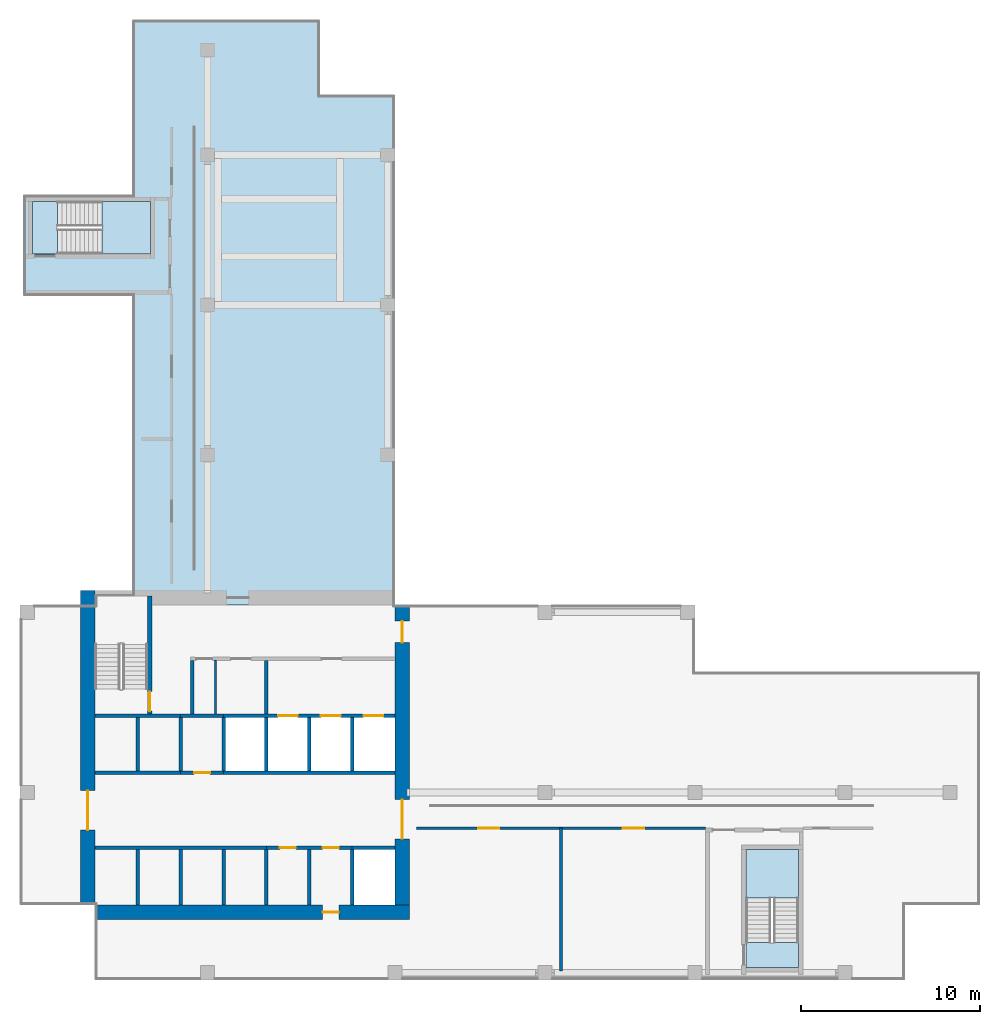
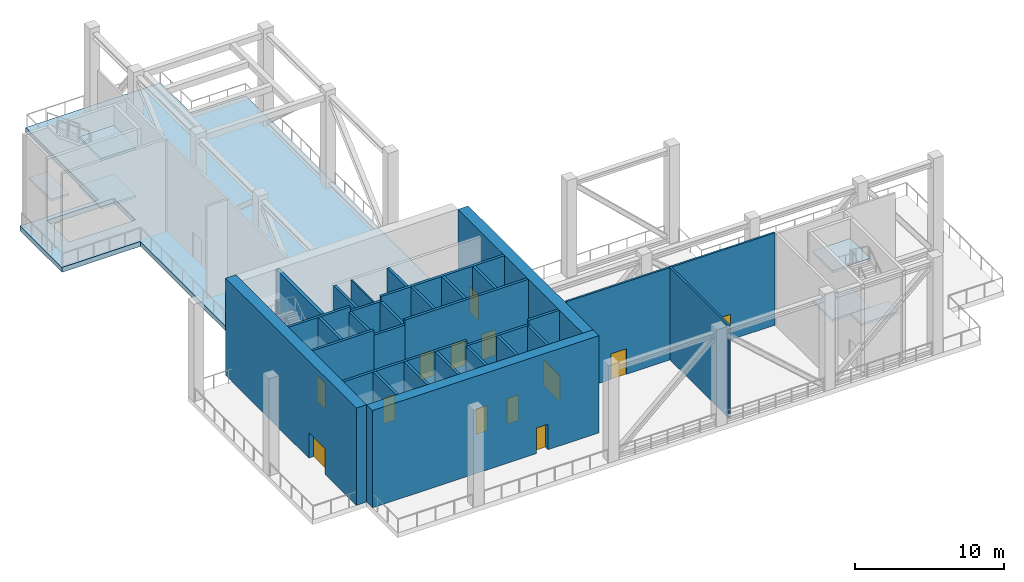
# One storey, part 2 of 9: 30 walls, 13 doors, 7 slabs, 13 openings, 2 elements without a shape of their own.
"""IFC4 building model written with IfcOpenShell, lengths in metres."""

from ifc_helpers import new_model, si_unit, direction, frame, frame_2d, origin, place, context, subcontext, project, spatial, polyline, rectangle, outline, extrude, source, transform, mapped, material, layer, layer_set, type_object, element, fill, aggregate, save


model = new_model("IFC4")

# Units and contexts
model_context = context("Model", 3, precision=1e-05, world=origin(), true_north=direction((0.0, 1.0)))
body_context = subcontext(model_context, "Body", "Model", "MODEL_VIEW")
ifc_project = project(units=[si_unit("LENGTHUNIT", "METRE"), si_unit("AREAUNIT", "SQUARE_METRE"), si_unit("VOLUMEUNIT", "CUBIC_METRE"), si_unit("PLANEANGLEUNIT", "RADIAN"), si_unit("MASSUNIT", "GRAM", prefix="KILO")], contexts=[model_context])

# Site, building, storey
site_placement = place(None, origin())
site = spatial("IfcSite", under=ifc_project, at=site_placement, CompositionType="ELEMENT")
building_placement = place(site_placement, origin())
building = spatial("IfcBuilding", under=site, at=building_placement, Name="Aurelian Terraces", CompositionType="ELEMENT")
storey_placement = place(building_placement, frame((0.0, 0.0, 269.0)))
storey = spatial("IfcBuildingStorey", under=building, at=storey_placement, Name="L62", CompositionType="ELEMENT", Elevation=269.0)

# Slab
ifc_material_1 = material(Name="Concrete fc' 40 MPa", Category="concrete")
ifc_layer_1 = layer(ifc_material_1, 0.4)
ifc_layer_set_1 = layer_set([ifc_layer_1], Name="PT FLAT PLATE 400")
slab_type_1 = type_object("IfcSlabType", Name="PT FLAT PLATE 400", PredefinedType="FLOOR", material=ifc_layer_set_1)
shared_shape_1 = source(origin(), body_context, "Body", "SweptSolid", [
    extrude(outline(polyline([(0.2, 43.95), (6.3, 43.95), (6.3, 49.56), (6.3, 53.76), (10.5, 53.76), (16.8, 53.76), (16.8, 49.56), (21.0, 49.56), (21.0, 21.0), (7.14, 21.0), (7.14, 21.49), (4.21, 21.49), (4.21, 21.0), (4.2, 21.0), (4.2, 21.6), (6.3, 21.6), (6.3, 38.3), (0.2, 38.3), (0.2, 43.95)]), holes=[polyline([(7.29, 43.59), (2.11, 43.59), (2.11, 40.66), (7.29, 40.66), (7.29, 43.59)])]), origin(), (0.0, 0.0, 1.0), 0.4),
])
slab_1_placement = place(storey_placement, frame((0.0, 0.0, -0.4)))
element("IfcSlab", 1, at=slab_1_placement, inside=storey, type_object=slab_type_1, Name="Floor slab W L62", PredefinedType="FLOOR", context=body_context, shape_type="MappedRepresentation", body=[
    mapped(shared_shape_1, transform((0.0, 0.0, 0.0), scale=1.0)),
])

# Stair, slabs
stair_type = type_object("IfcStairType", Name="Stair 1400", PredefinedType="HALF_TURN_STAIR", material=ifc_material_1)
stair_1_placement = place(storey_placement, origin())
stair_1 = element("IfcStair", 2, at=stair_1_placement, inside=storey, type_object=stair_type, Name="L62 S2", PredefinedType="HALF_TURN_STAIR")
ifc_layer_2 = layer(ifc_material_1, 0.2)
ifc_layer_set_2 = layer_set([ifc_layer_2], Name="Stair landing 200")
slab_type_2 = type_object("IfcSlabType", Name="Stair landing 200", PredefinedType="LANDING", material=ifc_layer_set_2)
shared_shape_2 = source(origin(), body_context, "Body", "SweptSolid", [
    extrude(outline(polyline([(43.6, 0.7), (43.6, 2.1), (40.65, 2.1), (40.65, 0.7), (43.6, 0.7)])), origin(), (0.0, 0.0, 1.0), 0.2),
])
slab_2_placement = place(storey_placement, frame((0.0, 0.0, 3.8)))
slab_2 = element("IfcSlab", 3, at=slab_2_placement, type_object=slab_type_2, Name="S2 landing 2", PredefinedType="LANDING", context=body_context, shape_type="MappedRepresentation", body=[
    mapped(shared_shape_2, transform((0.0, 0.0, 0.0), scale=1.0)),
])
shared_shape_3 = source(origin(), body_context, "Body", "SweptSolid", [
    extrude(outline(polyline([(43.6, 4.6), (43.6, 7.3), (40.65, 7.3), (40.65, 4.6), (43.6, 4.6)])), origin(), (0.0, 0.0, 1.0), 0.2),
])
slab_3_placement = place(storey_placement, frame((0.0, 0.0, 1.8)))
slab_3 = element("IfcSlab", 4, at=slab_3_placement, type_object=slab_type_2, Name="S2 landing 1", PredefinedType="LANDING", context=body_context, shape_type="MappedRepresentation", body=[
    mapped(shared_shape_3, transform((0.0, 0.0, 0.0), scale=1.0)),
])
slab_4_placement = place(storey_placement, frame((0.0, 0.0, 5.8)))
slab_4 = element("IfcSlab", 5, at=slab_4_placement, type_object=slab_type_2, Name="S2 landing 3", PredefinedType="LANDING", context=body_context, shape_type="MappedRepresentation", body=[
    mapped(shared_shape_3, transform((0.0, 0.0, 0.0), scale=1.0)),
])
aggregate(stair_1, [slab_3, slab_2, slab_4])

stair_2_placement = place(storey_placement, origin())
stair_2 = element("IfcStair", 6, at=stair_2_placement, inside=storey, type_object=stair_type, Name="L62 S3", PredefinedType="HALF_TURN_STAIR")
shared_shape_4 = source(origin(), body_context, "Body", "SweptSolid", [
    extrude(outline(polyline([(0.7, 40.65), (2.1, 40.65), (2.1, 43.6), (0.7, 43.6), (0.7, 40.65)])), origin(), (0.0, 0.0, 1.0), 0.2),
])
slab_5_placement = place(storey_placement, frame((0.0, 0.0, 3.8)))
slab_5 = element("IfcSlab", 7, at=slab_5_placement, type_object=slab_type_2, Name="S3 landing 2", PredefinedType="LANDING", context=body_context, shape_type="MappedRepresentation", body=[
    mapped(shared_shape_4, transform((0.0, 0.0, 0.0), scale=1.0)),
])
shared_shape_5 = source(origin(), body_context, "Body", "SweptSolid", [
    extrude(outline(polyline([(4.6, 40.65), (7.3, 40.65), (7.3, 43.6), (4.6, 43.6), (4.6, 40.65)])), origin(), (0.0, 0.0, 1.0), 0.2),
])
slab_6_placement = place(storey_placement, frame((0.0, 0.0, 1.8)))
slab_6 = element("IfcSlab", 8, at=slab_6_placement, type_object=slab_type_2, Name="S3 landing 1", PredefinedType="LANDING", context=body_context, shape_type="MappedRepresentation", body=[
    mapped(shared_shape_5, transform((0.0, 0.0, 0.0), scale=1.0)),
])
slab_7_placement = place(storey_placement, frame((0.0, 0.0, 5.8)))
slab_7 = element("IfcSlab", 9, at=slab_7_placement, type_object=slab_type_2, Name="S3 landing 3", PredefinedType="LANDING", context=body_context, shape_type="MappedRepresentation", body=[
    mapped(shared_shape_5, transform((0.0, 0.0, 0.0), scale=1.0)),
])
aggregate(stair_2, [slab_6, slab_5, slab_7])

# Wall, opening, door
ifc_material_2 = material(Name="Concrete fc' 70 MPa", Category="concrete")
ifc_layer_3 = layer(ifc_material_2, 0.8)
ifc_layer_set_3 = layer_set([ifc_layer_3], Name="CORE WALL 800 FC70")
wall_type_1 = type_object("IfcWallType", Name="CORE WALL 800 FC70", PredefinedType="SHEAR", material=ifc_layer_set_3)
wall_1_placement = place(storey_placement, frame((3.8, 4.2, 0.0), z_axis=(0.0, 0.0, 1.0), x_axis=(0.0, 1.0, 0.0)))
wall_1 = element("IfcWall", 10, at=wall_1_placement, inside=storey, type_object=wall_type_1, Name="Core wall W L62", PredefinedType="SHEAR", context=body_context, shape_type="SweptSolid", body=[
    extrude(rectangle(XDim=17.6, YDim=0.8, at=frame_2d((8.8, 0.0))), origin(), (0.0, 0.0, 1.0), 8.0),
])
shared_shape_6 = source(origin(), body_context, "Body", "SweptSolid", [
    extrude(rectangle(XDim=2.2, YDim=2.1, at=frame_2d((1.1, 1.05))), frame((0.0, 0.41, 0.0), z_axis=(0.0, -1.0, 0.0), x_axis=(1.0, 0.0, 0.0)), (0.0, 0.0, 1.0), 0.82),
])
opening_1_placement = place(wall_1_placement, frame((4.2, 0.0, 0.0)))
opening_1 = element("IfcOpeningElement", 11, at=opening_1_placement, cuts=wall_1, Name="Opening 66517", PredefinedType="OPENING", context=body_context, shape_type="MappedRepresentation", body=[
    mapped(shared_shape_6, transform((0.0, 0.0, 0.0), scale=1.0)),
])
ifc_material_3 = material(Name="Steel door leaf", Category="steel")
door_type_1 = type_object("IfcDoorType", Name="Core double door 2200x2100", OperationType="DOUBLE_DOOR_SINGLE_SWING", PredefinedType="DOOR", material=ifc_material_3)
shared_shape_7 = source(origin(), body_context, "Body", "SweptSolid", [
    extrude(rectangle(XDim=2.2, YDim=2.1, at=frame_2d((1.1, 1.05))), frame((0.0, 0.025, 0.0), z_axis=(0.0, -1.0, 0.0), x_axis=(1.0, 0.0, 0.0)), (0.0, 0.0, 1.0), 0.05),
])
door_1_placement = place(opening_1_placement, origin())
door_1 = element("IfcDoor", 12, at=door_1_placement, inside=storey, type_object=door_type_1, Name="Core door 66517", OperationType="DOUBLE_DOOR_SINGLE_SWING", OverallHeight=2.1, OverallWidth=2.2, PredefinedType="DOOR", context=body_context, shape_type="MappedRepresentation", body=[
    mapped(shared_shape_7, transform((0.0, 0.0, 0.0), scale=1.0)),
])
fill(opening_1, door_1)

# Wall, openings, doors
wall_2_placement = place(storey_placement, frame((21.4, 4.2, 0.0), z_axis=(0.0, 0.0, 1.0), x_axis=(0.0, 1.0, 0.0)))
wall_2 = element("IfcWall", 13, at=wall_2_placement, inside=storey, type_object=wall_type_1, Name="Core wall E L62", PredefinedType="SHEAR", context=body_context, shape_type="SweptSolid", body=[
    extrude(rectangle(XDim=16.8, YDim=0.8, at=frame_2d((8.4, 0.0))), origin(), (0.0, 0.0, 1.0), 8.0),
])
opening_2_placement = place(wall_2_placement, frame((3.7, 0.0, 0.0)))
opening_2 = element("IfcOpeningElement", 14, at=opening_2_placement, cuts=wall_2, Name="Opening 66516", PredefinedType="OPENING", context=body_context, shape_type="MappedRepresentation", body=[
    mapped(shared_shape_6, transform((0.0, 0.0, 0.0), scale=1.0)),
])
shared_shape_8 = source(origin(), body_context, "Body", "SweptSolid", [
    extrude(rectangle(XDim=1.2, YDim=2.1, at=frame_2d((0.6, 1.05))), frame((0.0, 0.41, 0.0), z_axis=(0.0, -1.0, 0.0), x_axis=(1.0, 0.0, 0.0)), (0.0, 0.0, 1.0), 0.82),
])
opening_3_placement = place(wall_2_placement, frame((14.7, 0.0, 0.0)))
opening_3 = element("IfcOpeningElement", 15, at=opening_3_placement, cuts=wall_2, Name="Opening 66519", PredefinedType="OPENING", context=body_context, shape_type="MappedRepresentation", body=[
    mapped(shared_shape_8, transform((0.0, 0.0, 0.0), scale=1.0)),
])
door_type_2 = type_object("IfcDoorType", Name="Core fire door 1200x2100", OperationType="SINGLE_SWING_LEFT", PredefinedType="DOOR", material=ifc_material_3)
shared_shape_9 = source(origin(), body_context, "Body", "SweptSolid", [
    extrude(rectangle(XDim=1.2, YDim=2.1, at=frame_2d((0.6, 1.05))), frame((0.0, 0.025, 0.0), z_axis=(0.0, -1.0, 0.0), x_axis=(1.0, 0.0, 0.0)), (0.0, 0.0, 1.0), 0.05),
])
door_2_placement = place(opening_3_placement, origin())
door_2 = element("IfcDoor", 16, at=door_2_placement, inside=storey, type_object=door_type_2, Name="Core door 66519", OperationType="SINGLE_SWING_LEFT", OverallHeight=2.1, OverallWidth=1.2, PredefinedType="DOOR", context=body_context, shape_type="MappedRepresentation", body=[
    mapped(shared_shape_9, transform((0.0, 0.0, 0.0), scale=1.0)),
])
fill(opening_3, door_2)
door_3_placement = place(opening_2_placement, origin())
door_3 = element("IfcDoor", 17, at=door_3_placement, inside=storey, type_object=door_type_1, Name="Core door 66516", OperationType="DOUBLE_DOOR_SINGLE_SWING", OverallHeight=2.1, OverallWidth=2.2, PredefinedType="DOOR", context=body_context, shape_type="MappedRepresentation", body=[
    mapped(shared_shape_7, transform((0.0, 0.0, 0.0), scale=1.0)),
])
fill(opening_2, door_3)

# Walls
ifc_material_4 = material(Name="Gypsum board on steel studs", Category="steel")
ifc_layer_4 = layer(ifc_material_4, 0.2)
ifc_layer_set_4 = layer_set([ifc_layer_4], Name="Core partition 200")
wall_type_2 = type_object("IfcWallType", Name="Core partition 200", PredefinedType="PARTITIONING", material=ifc_layer_set_4)
wall_3_placement = place(storey_placement, frame((16.2, 4.2, 0.0), z_axis=(0.0, 0.0, 1.0), x_axis=(0.0, 1.0, 0.0)))
element("IfcWall", 18, at=wall_3_placement, inside=storey, type_object=wall_type_2, Name="L62 core wall CS-A5", PredefinedType="PARTITIONING", context=body_context, shape_type="SweptSolid", body=[
    extrude(rectangle(XDim=3.1, YDim=0.2, at=frame_2d((1.55, 0.0))), origin(), (0.0, 0.0, 1.0), 7.6),
])
ifc_layer_5 = layer(ifc_material_1, 0.2)
ifc_layer_set_5 = layer_set([ifc_layer_5], Name="Lift shaft wall 200")
wall_type_3 = type_object("IfcWallType", Name="Lift shaft wall 200", PredefinedType="SOLIDWALL", material=ifc_layer_set_5)
wall_4_placement = place(storey_placement, frame((13.8, 4.2, 0.0), z_axis=(0.0, 0.0, 1.0), x_axis=(0.0, 1.0, 0.0)))
element("IfcWall", 19, at=wall_4_placement, inside=storey, type_object=wall_type_3, Name="L62 core wall CD-A4", PredefinedType="SOLIDWALL", context=body_context, shape_type="SweptSolid", body=[
    extrude(rectangle(XDim=3.1, YDim=0.2, at=frame_2d((1.55, 0.0))), origin(), (0.0, 0.0, 1.0), 7.6),
])

# Wall, openings, doors
wall_5_placement = place(storey_placement, frame((13.8, 7.4, 0.0), z_axis=(0.0, 0.0, 1.0), x_axis=(1.0, 0.0, 0.0)))
wall_5 = element("IfcWall", 20, at=wall_5_placement, inside=storey, type_object=wall_type_3, Name="L62 core wall CF-AF2", PredefinedType="SOLIDWALL", context=body_context, shape_type="SweptSolid", body=[
    extrude(rectangle(XDim=4.8, YDim=0.2, at=frame_2d((2.4, 0.0))), origin(), (0.0, 0.0, 1.0), 7.6),
])
shared_shape_10 = source(origin(), body_context, "Body", "SweptSolid", [
    extrude(rectangle(XDim=0.9, YDim=2.1, at=frame_2d((0.45, 1.05))), frame((0.0, 0.11, 0.0), z_axis=(0.0, -1.0, 0.0), x_axis=(1.0, 0.0, 0.0)), (0.0, 0.0, 1.0), 0.22),
])
opening_4_placement = place(wall_5_placement, frame((0.75, 0.0, 0.0)))
opening_4 = element("IfcOpeningElement", 21, at=opening_4_placement, cuts=wall_5, Name="Opening 66500", PredefinedType="OPENING", context=body_context, shape_type="MappedRepresentation", body=[
    mapped(shared_shape_10, transform((0.0, 0.0, 0.0), scale=1.0)),
])
opening_5_placement = place(wall_5_placement, frame((3.15, 0.0, 0.0)))
opening_5 = element("IfcOpeningElement", 22, at=opening_5_placement, cuts=wall_5, Name="Opening 66501", PredefinedType="OPENING", context=body_context, shape_type="MappedRepresentation", body=[
    mapped(shared_shape_10, transform((0.0, 0.0, 0.0), scale=1.0)),
])
door_type_3 = type_object("IfcDoorType", Name="Core service door 900x2100 right", OperationType="SINGLE_SWING_RIGHT", PredefinedType="DOOR", material=ifc_material_3)
shared_shape_11 = source(origin(), body_context, "Body", "SweptSolid", [
    extrude(rectangle(XDim=0.9, YDim=2.1, at=frame_2d((0.45, 1.05))), frame((0.0, 0.025, 0.0), z_axis=(0.0, -1.0, 0.0), x_axis=(1.0, 0.0, 0.0)), (0.0, 0.0, 1.0), 0.05),
])
door_4_placement = place(opening_4_placement, origin())
door_4 = element("IfcDoor", 23, at=door_4_placement, inside=storey, type_object=door_type_3, Name="Room door 66500", OperationType="SINGLE_SWING_RIGHT", OverallHeight=2.1, OverallWidth=0.9, PredefinedType="DOOR", context=body_context, shape_type="MappedRepresentation", body=[
    mapped(shared_shape_11, transform((0.0, 0.0, 0.0), scale=1.0)),
])
fill(opening_4, door_4)
door_type_4 = type_object("IfcDoorType", Name="Core service door 900x2100", OperationType="SINGLE_SWING_LEFT", PredefinedType="DOOR", material=ifc_material_3)
door_5_placement = place(opening_5_placement, origin())
door_5 = element("IfcDoor", 24, at=door_5_placement, inside=storey, type_object=door_type_4, Name="Room door 66501", OperationType="SINGLE_SWING_LEFT", OverallHeight=2.1, OverallWidth=0.9, PredefinedType="DOOR", context=body_context, shape_type="MappedRepresentation", body=[
    mapped(shared_shape_11, transform((0.0, 0.0, 0.0), scale=1.0)),
])
fill(opening_5, door_5)

# Wall
wall_6_placement = place(storey_placement, frame((18.6, 7.4, 0.0), z_axis=(0.0, 0.0, 1.0), x_axis=(1.0, 0.0, 0.0)))
element("IfcWall", 25, at=wall_6_placement, inside=storey, type_object=wall_type_3, Name="L62 core wall CF-AF3", PredefinedType="SOLIDWALL", context=body_context, shape_type="SweptSolid", body=[
    extrude(rectangle(XDim=2.4, YDim=0.2, at=frame_2d((1.2, 0.0))), origin(), (0.0, 0.0, 1.0), 8.0),
])

# Wall, opening, door
shared_shape_12 = source(origin(), body_context, "Body", "SweptSolid", [
    extrude(rectangle(XDim=17.6, YDim=0.8, at=frame_2d((8.8, 0.0))), origin(), (0.0, 0.0, 1.0), 8.0),
])
wall_7_placement = place(storey_placement, frame((4.2, 3.8, 0.0), z_axis=(0.0, 0.0, 1.0), x_axis=(1.0, 0.0, 0.0)))
wall_7 = element("IfcWall", 26, at=wall_7_placement, inside=storey, type_object=wall_type_1, Name="Core wall S L62", PredefinedType="SHEAR", context=body_context, shape_type="MappedRepresentation", body=[
    mapped(shared_shape_12, transform((0.0, 0.0, 0.0), scale=1.0)),
])
shared_shape_13 = source(origin(), body_context, "Body", "SweptSolid", [
    extrude(rectangle(XDim=0.9, YDim=2.1, at=frame_2d((0.45, 1.05))), frame((0.0, 0.41, 0.0), z_axis=(0.0, -1.0, 0.0), x_axis=(1.0, 0.0, 0.0)), (0.0, 0.0, 1.0), 0.82),
])
opening_6_placement = place(wall_7_placement, frame((12.75, 0.0, 0.0)))
opening_6 = element("IfcOpeningElement", 27, at=opening_6_placement, cuts=wall_7, Name="Opening 66520", PredefinedType="OPENING", context=body_context, shape_type="MappedRepresentation", body=[
    mapped(shared_shape_13, transform((0.0, 0.0, 0.0), scale=1.0)),
])
door_6_placement = place(opening_6_placement, origin())
door_6 = element("IfcDoor", 28, at=door_6_placement, inside=storey, type_object=door_type_3, Name="Core door 66520", OperationType="SINGLE_SWING_RIGHT", OverallHeight=2.1, OverallWidth=0.9, PredefinedType="DOOR", context=body_context, shape_type="MappedRepresentation", body=[
    mapped(shared_shape_11, transform((0.0, 0.0, 0.0), scale=1.0)),
])
fill(opening_6, door_6)

# Walls
shared_shape_14 = source(origin(), body_context, "Body", "SweptSolid", [
    extrude(rectangle(XDim=3.1, YDim=0.2, at=frame_2d((1.55, 0.0))), origin(), (0.0, 0.0, 1.0), 8.0),
])
for number, where, z_axis, x_axis, name in (
    (29, (6.6, 4.2, 0.0), (0.0, 0.0, 1.0), (0.0, 1.0, 0.0), "L62 core wall CD-A1"),
    (30, (9.0, 4.2, 0.0), (0.0, 0.0, 1.0), (0.0, 1.0, 0.0), "L62 core wall CD-A2"),
    (31, (11.4, 4.2, 0.0), (0.0, 0.0, 1.0), (0.0, 1.0, 0.0), "L62 core wall CD-A3"),
):
    element("IfcWall", number, at=place(storey_placement, frame(where, z_axis=z_axis, x_axis=x_axis)), inside=storey, type_object=wall_type_3, Name=name, PredefinedType="SOLIDWALL", context=body_context, shape_type="MappedRepresentation", body=[
        mapped(shared_shape_14, transform((0.0, 0.0, 0.0), scale=1.0)),
    ])
shared_shape_15 = source(origin(), body_context, "Body", "SweptSolid", [
    extrude(rectangle(XDim=3.0, YDim=0.2, at=frame_2d((1.5, 0.0))), origin(), (0.0, 0.0, 1.0), 7.6),
])
for number, where, z_axis, x_axis, name in (
    (32, (9.0, 11.7, 0.0), (0.0, 0.0, 1.0), (0.0, 1.0, 0.0), "L62 core wall CD-B2"),
    (33, (11.4, 11.7, 0.0), (0.0, 0.0, 1.0), (0.0, 1.0, 0.0), "L62 core wall CD-B3"),
):
    element("IfcWall", number, at=place(storey_placement, frame(where, z_axis=z_axis, x_axis=x_axis)), inside=storey, type_object=wall_type_3, Name=name, PredefinedType="SOLIDWALL", context=body_context, shape_type="MappedRepresentation", body=[
        mapped(shared_shape_15, transform((0.0, 0.0, 0.0), scale=1.0)),
    ])
shared_shape_16 = source(origin(), body_context, "Body", "SweptSolid", [
    extrude(rectangle(XDim=3.0, YDim=0.2, at=frame_2d((1.5, 0.0))), origin(), (0.0, 0.0, 1.0), 8.0),
])
for number, where, z_axis, x_axis, name in (
    (34, (6.6, 11.7, 0.0), (0.0, 0.0, 1.0), (0.0, 1.0, 0.0), "L62 core wall CD-B1"),
    (35, (13.8, 11.7, 0.0), (0.0, 0.0, 1.0), (0.0, 1.0, 0.0), "L62 core wall CD-B4"),
    (36, (16.2, 11.7, 0.0), (0.0, 0.0, 1.0), (0.0, 1.0, 0.0), "L62 core wall CD-B5"),
    (37, (18.6, 11.7, 0.0), (0.0, 0.0, 1.0), (0.0, 1.0, 0.0), "L62 core wall CD-B6"),
):
    element("IfcWall", number, at=place(storey_placement, frame(where, z_axis=z_axis, x_axis=x_axis)), inside=storey, type_object=wall_type_3, Name=name, PredefinedType="SOLIDWALL", context=body_context, shape_type="MappedRepresentation", body=[
        mapped(shared_shape_16, transform((0.0, 0.0, 0.0), scale=1.0)),
    ])
shared_shape_17 = source(origin(), body_context, "Body", "SweptSolid", [
    extrude(rectangle(XDim=4.8, YDim=0.2, at=frame_2d((2.4, 0.0))), origin(), (0.0, 0.0, 1.0), 8.0),
])
for number, where, z_axis, x_axis, name in (
    (38, (4.2, 11.6, 0.0), (0.0, 0.0, 1.0), (1.0, 0.0, 0.0), "L62 core wall CF-BF1"),
    (39, (4.2, 14.8, 0.0), (0.0, 0.0, 1.0), (1.0, 0.0, 0.0), "L62 core wall CF-BB1"),
):
    element("IfcWall", number, at=place(storey_placement, frame(where, z_axis=z_axis, x_axis=x_axis)), inside=storey, type_object=wall_type_3, Name=name, PredefinedType="SOLIDWALL", context=body_context, shape_type="MappedRepresentation", body=[
        mapped(shared_shape_17, transform((0.0, 0.0, 0.0), scale=1.0)),
    ])

# Wall, opening, door
shared_shape_18 = source(origin(), body_context, "Body", "SweptSolid", [
    extrude(rectangle(XDim=2.4, YDim=0.2, at=frame_2d((1.2, 0.0))), origin(), (0.0, 0.0, 1.0), 7.6),
])
wall_8_placement = place(storey_placement, frame((9.0, 11.6, 0.0), z_axis=(0.0, 0.0, 1.0), x_axis=(1.0, 0.0, 0.0)))
wall_8 = element("IfcWall", 40, at=wall_8_placement, inside=storey, type_object=wall_type_3, Name="L62 core wall CF-BF2", PredefinedType="SOLIDWALL", context=body_context, shape_type="MappedRepresentation", body=[
    mapped(shared_shape_18, transform((0.0, 0.0, 0.0), scale=1.0)),
])
opening_7_placement = place(wall_8_placement, frame((0.75, 0.0, 0.0)))
opening_7 = element("IfcOpeningElement", 41, at=opening_7_placement, cuts=wall_8, Name="Opening 66502", PredefinedType="OPENING", context=body_context, shape_type="MappedRepresentation", body=[
    mapped(shared_shape_10, transform((0.0, 0.0, 0.0), scale=1.0)),
])
door_7_placement = place(opening_7_placement, origin())
door_7 = element("IfcDoor", 42, at=door_7_placement, inside=storey, type_object=door_type_3, Name="Room door 66502", OperationType="SINGLE_SWING_RIGHT", OverallHeight=2.1, OverallWidth=0.9, PredefinedType="DOOR", context=body_context, shape_type="MappedRepresentation", body=[
    mapped(shared_shape_11, transform((0.0, 0.0, 0.0), scale=1.0)),
])
fill(opening_7, door_7)

# Walls
wall_9_placement = place(storey_placement, frame((9.0, 14.8, 0.0), z_axis=(0.0, 0.0, 1.0), x_axis=(1.0, 0.0, 0.0)))
element("IfcWall", 43, at=wall_9_placement, inside=storey, type_object=wall_type_3, Name="L62 core wall CF-BB2", PredefinedType="SOLIDWALL", context=body_context, shape_type="MappedRepresentation", body=[
    mapped(shared_shape_18, transform((0.0, 0.0, 0.0), scale=1.0)),
])
shared_shape_19 = source(origin(), body_context, "Body", "SweptSolid", [
    extrude(rectangle(XDim=9.6, YDim=0.2, at=frame_2d((4.8, 0.0))), origin(), (0.0, 0.0, 1.0), 8.0),
])
for number, where, z_axis, x_axis, name in (
    (44, (4.2, 7.4, 0.0), (0.0, 0.0, 1.0), (1.0, 0.0, 0.0), "L62 core wall CF-AF1"),
    (45, (11.4, 11.6, 0.0), (0.0, 0.0, 1.0), (1.0, 0.0, 0.0), "L62 core wall CF-BF3"),
):
    element("IfcWall", number, at=place(storey_placement, frame(where, z_axis=z_axis, x_axis=x_axis)), inside=storey, type_object=wall_type_3, Name=name, PredefinedType="SOLIDWALL", context=body_context, shape_type="MappedRepresentation", body=[
        mapped(shared_shape_19, transform((0.0, 0.0, 0.0), scale=1.0)),
    ])

# Wall, openings, doors
wall_10_placement = place(storey_placement, frame((11.4, 14.8, 0.0), z_axis=(0.0, 0.0, 1.0), x_axis=(1.0, 0.0, 0.0)))
wall_10 = element("IfcWall", 46, at=wall_10_placement, inside=storey, type_object=wall_type_3, Name="L62 core wall CF-BB3", PredefinedType="SOLIDWALL", context=body_context, shape_type="MappedRepresentation", body=[
    mapped(shared_shape_19, transform((0.0, 0.0, 0.0), scale=1.0)),
])
shared_shape_20 = source(origin(), body_context, "Body", "SweptSolid", [
    extrude(rectangle(XDim=1.1, YDim=2.1, at=frame_2d((0.55, 1.05))), frame((0.0, 0.11, 0.0), z_axis=(0.0, -1.0, 0.0), x_axis=(1.0, 0.0, 0.0)), (0.0, 0.0, 1.0), 0.22),
])
opening_8_placement = place(wall_10_placement, frame((3.05, 0.0, 0.0)))
opening_8 = element("IfcOpeningElement", 47, at=opening_8_placement, cuts=wall_10, Name="Opening 66503", PredefinedType="OPENING", context=body_context, shape_type="MappedRepresentation", body=[
    mapped(shared_shape_20, transform((0.0, 0.0, 0.0), scale=1.0)),
])
opening_9_placement = place(wall_10_placement, frame((5.45, 0.0, 0.0)))
opening_9 = element("IfcOpeningElement", 48, at=opening_9_placement, cuts=wall_10, Name="Opening 66504", PredefinedType="OPENING", context=body_context, shape_type="MappedRepresentation", body=[
    mapped(shared_shape_20, transform((0.0, 0.0, 0.0), scale=1.0)),
])
opening_10_placement = place(wall_10_placement, frame((7.85, 0.0, 0.0)))
opening_10 = element("IfcOpeningElement", 49, at=opening_10_placement, cuts=wall_10, Name="Opening 66505", PredefinedType="OPENING", context=body_context, shape_type="MappedRepresentation", body=[
    mapped(shared_shape_20, transform((0.0, 0.0, 0.0), scale=1.0)),
])
ifc_material_5 = material(Name="Stainless steel", Category="steel")
door_type_5 = type_object("IfcDoorType", Name="Lift landing door 1100x2100", OperationType="SLIDING_TO_LEFT", PredefinedType="DOOR", material=ifc_material_5)
shared_shape_21 = source(origin(), body_context, "Body", "SweptSolid", [
    extrude(rectangle(XDim=1.1, YDim=2.1, at=frame_2d((0.55, 1.05))), frame((0.0, 0.025, 0.0), z_axis=(0.0, -1.0, 0.0), x_axis=(1.0, 0.0, 0.0)), (0.0, 0.0, 1.0), 0.05),
])
door_8_placement = place(opening_8_placement, origin())
door_8 = element("IfcDoor", 50, at=door_8_placement, inside=storey, type_object=door_type_5, Name="Lift landing door F1 L62", OperationType="SLIDING_TO_LEFT", OverallHeight=2.1, OverallWidth=1.1, PredefinedType="DOOR", context=body_context, shape_type="MappedRepresentation", body=[
    mapped(shared_shape_21, transform((0.0, 0.0, 0.0), scale=1.0)),
])
fill(opening_8, door_8)
door_9_placement = place(opening_9_placement, origin())
door_9 = element("IfcDoor", 51, at=door_9_placement, inside=storey, type_object=door_type_5, Name="Lift landing door F2 L62", OperationType="SLIDING_TO_LEFT", OverallHeight=2.1, OverallWidth=1.1, PredefinedType="DOOR", context=body_context, shape_type="MappedRepresentation", body=[
    mapped(shared_shape_21, transform((0.0, 0.0, 0.0), scale=1.0)),
])
fill(opening_9, door_9)
door_10_placement = place(opening_10_placement, origin())
door_10 = element("IfcDoor", 52, at=door_10_placement, inside=storey, type_object=door_type_5, Name="Lift landing door F3 L62", OperationType="SLIDING_TO_LEFT", OverallHeight=2.1, OverallWidth=1.1, PredefinedType="DOOR", context=body_context, shape_type="MappedRepresentation", body=[
    mapped(shared_shape_21, transform((0.0, 0.0, 0.0), scale=1.0)),
])
fill(opening_10, door_10)

# Walls
shared_shape_22 = source(origin(), body_context, "Body", "SweptSolid", [
    extrude(rectangle(XDim=3.0, YDim=0.2, at=frame_2d((1.5, 0.0))), origin(), (0.0, 0.0, 1.0), 7.6),
])
for number, where, z_axis, x_axis, name in (
    (53, (9.65, 14.9, 0.0), (0.0, 0.0, 1.0), (0.0, 1.0, 0.0), "L62 core wall CP-VEST"),
    (54, (13.8, 14.9, 0.0), (0.0, 0.0, 1.0), (0.0, 1.0, 0.0), "L62 core wall CP-FFL"),
):
    element("IfcWall", number, at=place(storey_placement, frame(where, z_axis=z_axis, x_axis=x_axis)), inside=storey, type_object=wall_type_2, Name=name, PredefinedType="PARTITIONING", context=body_context, shape_type="MappedRepresentation", body=[
        mapped(shared_shape_22, transform((0.0, 0.0, 0.0), scale=1.0)),
    ])
shared_shape_23 = source(origin(), body_context, "Body", "SweptSolid", [
    extrude(rectangle(XDim=3.1, YDim=0.2, at=frame_2d((1.55, 0.0))), origin(), (0.0, 0.0, 1.0), 7.6),
])
wall_11_placement = place(storey_placement, frame((18.6, 4.2, 0.0), z_axis=(0.0, 0.0, 1.0), x_axis=(0.0, 1.0, 0.0)))
element("IfcWall", 55, at=wall_11_placement, inside=storey, type_object=wall_type_3, Name="L62 core wall CD-A6", PredefinedType="SOLIDWALL", context=body_context, shape_type="MappedRepresentation", body=[
    mapped(shared_shape_23, transform((0.0, 0.0, 0.0), scale=1.0)),
])

# Wall, opening, door
ifc_layer_6 = layer(ifc_material_1, 0.25)
ifc_layer_set_6 = layer_set([ifc_layer_6], Name="Stair enclosure wall 250")
wall_type_4 = type_object("IfcWallType", Name="Stair enclosure wall 250", PredefinedType="SOLIDWALL", material=ifc_layer_set_6)
shared_shape_24 = source(origin(), body_context, "Body", "SweptSolid", [
    extrude(rectangle(XDim=6.6, YDim=0.25, at=frame_2d((3.3, 0.0))), origin(), (0.0, 0.0, 1.0), 7.6),
])
wall_12_placement = place(storey_placement, frame((7.275, 14.9, 0.0), z_axis=(0.0, 0.0, 1.0), x_axis=(0.0, 1.0, 0.0)))
wall_12 = element("IfcWall", 56, at=wall_12_placement, inside=storey, type_object=wall_type_4, Name="L62 core wall ST-S1-E", PredefinedType="SOLIDWALL", context=body_context, shape_type="MappedRepresentation", body=[
    mapped(shared_shape_24, transform((0.0, 0.0, 0.0), scale=1.0)),
])
shared_shape_25 = source(origin(), body_context, "Body", "SweptSolid", [
    extrude(rectangle(XDim=1.1, YDim=2.1, at=frame_2d((0.55, 1.05))), frame((0.0, 0.135, 0.0), z_axis=(0.0, -1.0, 0.0), x_axis=(1.0, 0.0, 0.0)), (0.0, 0.0, 1.0), 0.27),
])
opening_11_placement = place(wall_12_placement, frame((0.15, 0.0, 0.0)))
opening_11 = element("IfcOpeningElement", 57, at=opening_11_placement, cuts=wall_12, Name="Opening 66506", PredefinedType="OPENING", context=body_context, shape_type="MappedRepresentation", body=[
    mapped(shared_shape_25, transform((0.0, 0.0, 0.0), scale=1.0)),
])
door_type_6 = type_object("IfcDoorType", Name="Core fire door 1100x2100 right", OperationType="SINGLE_SWING_RIGHT", PredefinedType="DOOR", material=ifc_material_3)
door_11_placement = place(opening_11_placement, origin())
door_11 = element("IfcDoor", 58, at=door_11_placement, inside=storey, type_object=door_type_6, Name="Stair door 66506", OperationType="SINGLE_SWING_RIGHT", OverallHeight=2.1, OverallWidth=1.1, PredefinedType="DOOR", context=body_context, shape_type="MappedRepresentation", body=[
    mapped(shared_shape_21, transform((0.0, 0.0, 0.0), scale=1.0)),
])
fill(opening_11, door_11)

# Wall
ifc_layer_7 = layer(ifc_material_4, 0.1)
ifc_layer_set_7 = layer_set([ifc_layer_7], Name="Core partition 100")
wall_type_5 = type_object("IfcWallType", Name="Core partition 100", PredefinedType="PARTITIONING", material=ifc_layer_set_7)
shared_shape_26 = source(origin(), body_context, "Body", "SweptSolid", [
    extrude(rectangle(XDim=3.0, YDim=0.1, at=frame_2d((1.5, 0.0))), origin(), (0.0, 0.0, 1.0), 7.6),
])
wall_13_placement = place(storey_placement, frame((10.95, 14.9, 0.0), z_axis=(0.0, 0.0, 1.0), x_axis=(0.0, 1.0, 0.0)))
element("IfcWall", 59, at=wall_13_placement, inside=storey, type_object=wall_type_5, Name="L62 core wall CP-SV1", PredefinedType="PARTITIONING", context=body_context, shape_type="MappedRepresentation", body=[
    mapped(shared_shape_26, transform((0.0, 0.0, 0.0), scale=1.0)),
])

# Wall, openings, doors
ifc_layer_8 = layer(ifc_material_4, 0.15)
ifc_layer_set_8 = layer_set([ifc_layer_8], Name="Special partition 150")
wall_type_6 = type_object("IfcWallType", Name="Special partition 150", PredefinedType="PARTITIONING", material=ifc_layer_set_8)
shared_shape_27 = source(origin(), body_context, "Body", "SweptSolid", [
    extrude(rectangle(XDim=16.2, YDim=0.15, at=frame_2d((8.1, 0.0))), origin(), (0.0, 0.0, 1.0), 7.6),
])
wall_14_placement = place(storey_placement, frame((22.2, 8.5, 0.0), z_axis=(0.0, 0.0, 1.0), x_axis=(1.0, 0.0, 0.0)))
wall_14 = element("IfcWall", 60, at=wall_14_placement, inside=storey, type_object=wall_type_6, Name="L62 partition W01", PredefinedType="PARTITIONING", context=body_context, shape_type="MappedRepresentation", body=[
    mapped(shared_shape_27, transform((0.0, 0.0, 0.0), scale=1.0)),
])
shared_shape_28 = source(origin(), body_context, "Body", "SweptSolid", [
    extrude(rectangle(XDim=1.2, YDim=2.1, at=frame_2d((0.6, 1.05))), frame((0.0, 0.085, 0.0), z_axis=(0.0, -1.0, 0.0), x_axis=(1.0, 0.0, 0.0)), (0.0, 0.0, 1.0), 0.17),
])
opening_12_placement = place(wall_14_placement, frame((3.45, 0.0, 0.0)))
opening_12 = element("IfcOpeningElement", 61, at=opening_12_placement, cuts=wall_14, Name="Opening 76501", PredefinedType="OPENING", context=body_context, shape_type="MappedRepresentation", body=[
    mapped(shared_shape_28, transform((0.0, 0.0, 0.0), scale=1.0)),
])
opening_13_placement = place(wall_14_placement, frame((11.55, 0.0, 0.0)))
opening_13 = element("IfcOpeningElement", 62, at=opening_13_placement, cuts=wall_14, Name="Opening 76502", PredefinedType="OPENING", context=body_context, shape_type="MappedRepresentation", body=[
    mapped(shared_shape_28, transform((0.0, 0.0, 0.0), scale=1.0)),
])
door_type_7 = type_object("IfcDoorType", Name="Special door 1200x2100", OperationType="SINGLE_SWING_LEFT", PredefinedType="DOOR", material=ifc_material_3)
door_12_placement = place(opening_12_placement, origin())
door_12 = element("IfcDoor", 63, at=door_12_placement, inside=storey, type_object=door_type_7, Name="Door 76501", OperationType="SINGLE_SWING_LEFT", OverallHeight=2.1, OverallWidth=1.2, PredefinedType="DOOR", context=body_context, shape_type="MappedRepresentation", body=[
    mapped(shared_shape_9, transform((0.0, 0.0, 0.0), scale=1.0)),
])
fill(opening_12, door_12)
door_type_8 = type_object("IfcDoorType", Name="Special door 1200x2100 right", OperationType="SINGLE_SWING_RIGHT", PredefinedType="DOOR", material=ifc_material_3)
door_13_placement = place(opening_13_placement, origin())
door_13 = element("IfcDoor", 64, at=door_13_placement, inside=storey, type_object=door_type_8, Name="Door 76502", OperationType="SINGLE_SWING_RIGHT", OverallHeight=2.1, OverallWidth=1.2, PredefinedType="DOOR", context=body_context, shape_type="MappedRepresentation", body=[
    mapped(shared_shape_9, transform((0.0, 0.0, 0.0), scale=1.0)),
])
fill(opening_13, door_13)

# Wall
shared_shape_29 = source(origin(), body_context, "Body", "SweptSolid", [
    extrude(rectangle(XDim=8.0, YDim=0.15, at=frame_2d((4.0, 0.0))), origin(), (0.0, 0.0, 1.0), 7.6),
])
wall_15_placement = place(storey_placement, frame((30.3, 0.5, 0.0), z_axis=(0.0, 0.0, 1.0), x_axis=(0.0, 1.0, 0.0)))
element("IfcWall", 65, at=wall_15_placement, inside=storey, type_object=wall_type_6, Name="L62 partition W06", PredefinedType="PARTITIONING", context=body_context, shape_type="MappedRepresentation", body=[
    mapped(shared_shape_29, transform((0.0, 0.0, 0.0), scale=1.0)),
])

save(model, "model.ifc")
